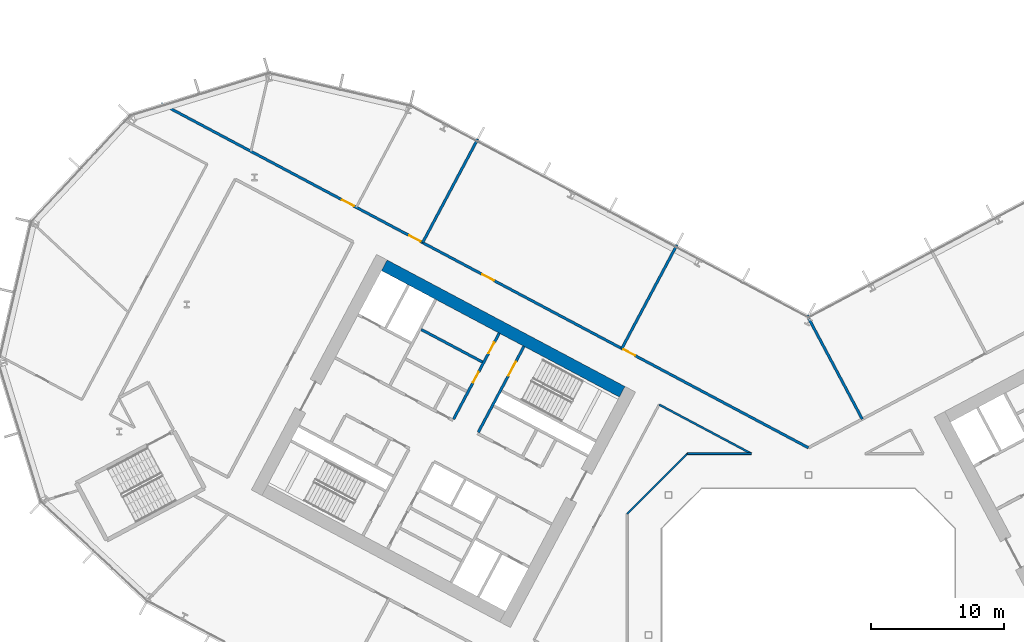
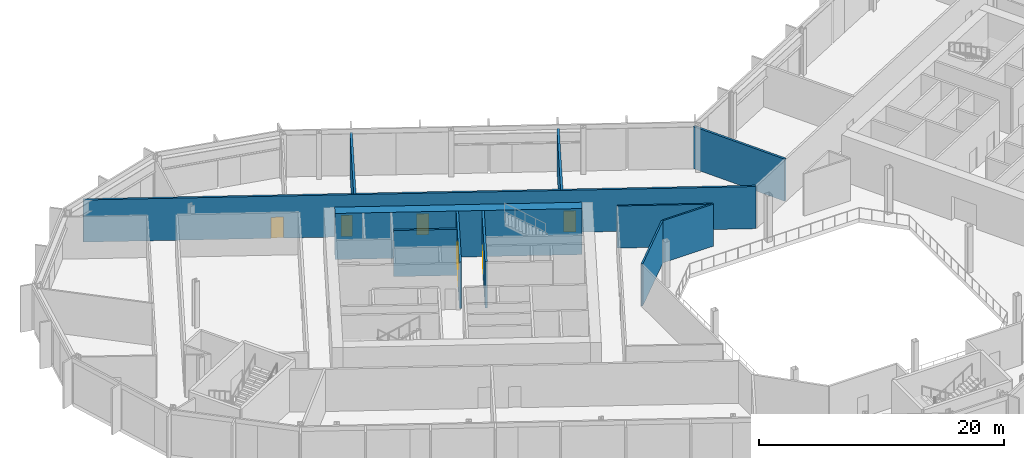
# One storey, part 16 of 32: 11 walls, 7 doors, 7 openings.
"""IFC4 building model written with IfcOpenShell, lengths in metres."""

from ifc_helpers import new_model, si_unit, direction, frame, frame_2d, origin, place, context, subcontext, project, spatial, rectangle, extrude, material, layer, layer_set, type_object, element, fill, save


model = new_model("IFC4")

# Units and contexts
model_context = context("Model", 3, precision=1e-05, world=origin(), true_north=direction((0.0, 1.0)))
body_context = subcontext(model_context, "Body", "Model", "MODEL_VIEW")
ifc_project = project(units=[si_unit("LENGTHUNIT", "METRE"), si_unit("AREAUNIT", "SQUARE_METRE"), si_unit("VOLUMEUNIT", "CUBIC_METRE"), si_unit("PLANEANGLEUNIT", "RADIAN"), si_unit("MASSUNIT", "GRAM", prefix="KILO")], contexts=[model_context])

# Site, building, storey
site_placement = place(None, origin())
site = spatial("IfcSite", under=ifc_project, at=site_placement, CompositionType="ELEMENT")
building_placement = place(site_placement, origin())
building = spatial("IfcBuilding", under=site, at=building_placement, Name="Cormorant Relay Tower", CompositionType="ELEMENT")
storey_placement = place(building_placement, frame((0.0, 0.0, 75.39990234375)))
storey = spatial("IfcBuildingStorey", under=building, at=storey_placement, Name="L14", CompositionType="ELEMENT", Elevation=75.39990234375)

# Wall
ifc_material_1 = material(Name="Concrete 40 MPa", Category="concrete")
ifc_layer_1 = layer(ifc_material_1, 0.199951171875)
ifc_layer_set_1 = layer_set([ifc_layer_1], Name="Core internal wall 200")
wall_type_1 = type_object("IfcWallType", Name="Core internal wall 200", PredefinedType="SOLIDWALL", material=ifc_layer_set_1)
wall_1_placement = place(storey_placement, frame((-24.449462890625, 20.474853515625, 0.0), z_axis=(0.0, 0.0, 1.0), x_axis=(-0.882934506056, 0.469496174655, 0.0)))
element("IfcWall", 1, at=wall_1_placement, inside=storey, type_object=wall_type_1, Name="L14 core A shaft and room wall", PredefinedType="SOLIDWALL", context=body_context, shape_type="SweptSolid", body=[
    extrude(rectangle(XDim=5.199951171875, YDim=0.199951171875, at=frame_2d((2.60009765625, 0.0))), origin(), (0.0, 0.0, 1.0), 4.60009765625),
])

# Wall, opening, door
ifc_material_2 = material(Name="Concrete 50 MPa", Category="concrete")
ifc_layer_2 = layer(ifc_material_2, 0.199951171875)
ifc_layer_set_2 = layer_set([ifc_layer_2], Name="Core shaft wall 200")
wall_type_2 = type_object("IfcWallType", Name="Core shaft wall 200", PredefinedType="SHEAR", material=ifc_layer_set_2)
wall_2_placement = place(storey_placement, frame((-21.333251953125, 21.6494140625, 0.0), z_axis=(0.0, 0.0, 1.0), x_axis=(-0.469494272526, -0.882935517501, 0.0)))
wall_2 = element("IfcWall", 2, at=wall_2_placement, inside=storey, type_object=wall_type_2, Name="L14 core A shaft wall", PredefinedType="SHEAR", context=body_context, shape_type="SweptSolid", body=[
    extrude(rectangle(XDim=7.2998046875, YDim=0.199951171875, at=frame_2d((3.64990234375, 0.0))), origin(), (0.0, 0.0, 1.0), 4.60009765625),
])
opening_1_placement = place(wall_2_placement, frame((1.300048828125, 0.0, 0.0)))
opening_1 = element("IfcOpeningElement", 3, at=opening_1_placement, cuts=wall_2, Name="Opening CDB-024", PredefinedType="OPENING", context=body_context, shape_type="SweptSolid", body=[
    extrude(rectangle(XDim=1.199951171875, YDim=2.10009765625, at=frame_2d((0.60009765625, 1.050048828125))), frame((0.0, 0.10986328125, 0.0), z_axis=(0.0, -1.0, 0.0), x_axis=(1.0, 0.0, 0.0)), (0.0, 0.0, 1.0), 0.219970703125),
])
ifc_material_3 = material(Name="Steel fire door", Category="steel")
door_type_1 = type_object("IfcDoorType", Name="Core stair door 1200x2100", OperationType="SINGLE_SWING_LEFT", PredefinedType="DOOR", material=ifc_material_3)
door_1_placement = place(opening_1_placement, origin())
door_1 = element("IfcDoor", 4, at=door_1_placement, inside=storey, type_object=door_type_1, Name="Core stair door 1200x2100", OperationType="SINGLE_SWING_RIGHT", OverallHeight=2.10009765625, OverallWidth=1.199951171875, PredefinedType="DOOR", context=body_context, shape_type="SweptSolid", body=[
    extrude(rectangle(XDim=1.199951171875, YDim=2.10009765625, at=frame_2d((0.60009765625, 1.050048828125))), frame((0.0, 0.02490234375, 0.0), z_axis=(0.0, -1.0, 0.0), x_axis=(1.0, 0.0, 0.0)), (0.0, 0.0, 1.0), 0.050048828125),
])
fill(opening_1, door_1)

# Wall, openings, doors
wall_3_placement = place(storey_placement, frame((-23.1875, 22.635498046875, 0.0), z_axis=(0.0, 0.0, 1.0), x_axis=(-0.469454336211, -0.882956752176, 0.0)))
wall_3 = element("IfcWall", 5, at=wall_3_placement, inside=storey, type_object=wall_type_2, Name="L14 core A shaft wall", PredefinedType="SHEAR", context=body_context, shape_type="SweptSolid", body=[
    extrude(rectangle(XDim=7.300048828125, YDim=0.199951171875, at=frame_2d((3.64990234375, 0.0))), origin(), (0.0, 0.0, 1.0), 4.60009765625),
])
opening_2_placement = place(wall_3_placement, frame((0.800048828125, 0.0, 0.0)))
opening_2 = element("IfcOpeningElement", 6, at=opening_2_placement, cuts=wall_3, Name="Opening CDD-117", PredefinedType="OPENING", context=body_context, shape_type="SweptSolid", body=[
    extrude(rectangle(XDim=0.89990234375, YDim=2.10009765625, at=frame_2d((0.449951171875, 1.050048828125))), frame((0.0, 0.10986328125, 0.0), z_axis=(0.0, -1.0, 0.0), x_axis=(1.0, 0.0, 0.0)), (0.0, 0.0, 1.0), 0.219970703125),
])
opening_3_placement = place(wall_3_placement, frame((3.300048828125, 0.0, 0.0)))
opening_3 = element("IfcOpeningElement", 7, at=opening_3_placement, cuts=wall_3, Name="Opening CDD-118", PredefinedType="OPENING", context=body_context, shape_type="SweptSolid", body=[
    extrude(rectangle(XDim=0.89990234375, YDim=2.10009765625, at=frame_2d((0.449951171875, 1.050048828125))), frame((0.0, 0.10986328125, 0.0), z_axis=(0.0, -1.0, 0.0), x_axis=(1.0, 0.0, 0.0)), (0.0, 0.0, 1.0), 0.219970703125),
])
ifc_material_4 = material(Name="Steel fire door", Category="steel")
door_type_2 = type_object("IfcDoorType", Name="Core room door 900x2100", OperationType="SINGLE_SWING_LEFT", PredefinedType="DOOR", material=ifc_material_4)
door_2_placement = place(opening_2_placement, origin())
door_2 = element("IfcDoor", 8, at=door_2_placement, inside=storey, type_object=door_type_2, Name="Core room door 900x2100", OperationType="SINGLE_SWING_LEFT", OverallHeight=2.10009765625, OverallWidth=0.89990234375, PredefinedType="DOOR", context=body_context, shape_type="SweptSolid", body=[
    extrude(rectangle(XDim=0.89990234375, YDim=2.10009765625, at=frame_2d((0.449951171875, 1.050048828125))), frame((0.0, 0.02490234375, 0.0), z_axis=(0.0, -1.0, 0.0), x_axis=(1.0, 0.0, 0.0)), (0.0, 0.0, 1.0), 0.050048828125),
])
fill(opening_2, door_2)
door_3_placement = place(opening_3_placement, origin())
door_3 = element("IfcDoor", 9, at=door_3_placement, inside=storey, type_object=door_type_2, Name="Core room door 900x2100", OperationType="SINGLE_SWING_LEFT", OverallHeight=2.10009765625, OverallWidth=0.89990234375, PredefinedType="DOOR", context=body_context, shape_type="SweptSolid", body=[
    extrude(rectangle(XDim=0.89990234375, YDim=2.10009765625, at=frame_2d((0.449951171875, 1.050048828125))), frame((0.0, 0.02490234375, 0.0), z_axis=(0.0, -1.0, 0.0), x_axis=(1.0, 0.0, 0.0)), (0.0, 0.0, 1.0), 0.050048828125),
])
fill(opening_3, door_3)

# Wall
ifc_material_5 = material(Name="Concrete 70 MPa", Category="concrete")
ifc_layer_3 = layer(ifc_material_5, 0.89990234375)
ifc_layer_set_3 = layer_set([ifc_layer_3], Name="Core wall 900")
wall_type_3 = type_object("IfcWallType", Name="Core wall 900", PredefinedType="SHEAR", material=ifc_layer_set_3)
wall_4_placement = place(storey_placement, frame((-13.97021484375, 18.244140625, 0.0), z_axis=(0.0, 0.0, 1.0), x_axis=(-0.88294509198, 0.469476266226, 0.0)))
element("IfcWall", 10, at=wall_4_placement, inside=storey, type_object=wall_type_3, Name="L14 core A wall", PredefinedType="SHEAR", context=body_context, shape_type="SweptSolid", body=[
    extrude(rectangle(XDim=20.199951171875, YDim=0.89990234375, at=frame_2d((10.10009765625, 0.0))), origin(), (0.0, 0.0, 1.0), 4.60009765625),
])

# Wall, openings, doors
ifc_material_6 = material(Name="Fire-rated gypsum board partition")
ifc_layer_4 = layer(ifc_material_6, 0.199951171875)
ifc_layer_set_4 = layer_set([ifc_layer_4], Name="Fire-rated gypsum partition 200")
wall_type_4 = type_object("IfcWallType", Name="Fire-rated gypsum partition 200", PredefinedType="PARTITIONING", material=ifc_layer_set_4)
wall_5_placement = place(storey_placement, frame((-48.541015625, 39.85400390625, 0.0), z_axis=(0.0, 0.0, 1.0), x_axis=(0.882945008423, -0.469476423372, 0.0)))
wall_5 = element("IfcWall", 11, at=wall_5_placement, inside=storey, type_object=wall_type_4, Name="wall/L14/part/8", PredefinedType="PARTITIONING", context=body_context, shape_type="SweptSolid", body=[
    extrude(rectangle(XDim=54.976318359375, YDim=0.199951171875, at=frame_2d((27.48828125, 0.0))), origin(), (0.0, 0.0, 1.0), 4.2001953125),
])
opening_4_placement = place(wall_5_placement, frame((39.264892578125, 0.0, 0.0)))
opening_4 = element("IfcOpeningElement", 12, at=opening_4_placement, cuts=wall_5, Name="Opening FD1-090", PredefinedType="OPENING", context=body_context, shape_type="SweptSolid", body=[
    extrude(rectangle(XDim=1.0, YDim=2.10009765625, at=frame_2d((0.5, 1.050048828125))), frame((0.0, 0.10986328125, 0.0), z_axis=(0.0, -1.0, 0.0), x_axis=(1.0, 0.0, 0.0)), (0.0, 0.0, 1.0), 0.219970703125),
])
opening_5_placement = place(wall_5_placement, frame((27.264892578125, 0.0, 0.0)))
opening_5 = element("IfcOpeningElement", 13, at=opening_5_placement, cuts=wall_5, Name="Opening FD1-091", PredefinedType="OPENING", context=body_context, shape_type="SweptSolid", body=[
    extrude(rectangle(XDim=1.0, YDim=2.10009765625, at=frame_2d((0.5, 1.050048828125))), frame((0.0, 0.10986328125, 0.0), z_axis=(0.0, -1.0, 0.0), x_axis=(1.0, 0.0, 0.0)), (0.0, 0.0, 1.0), 0.219970703125),
])
opening_6_placement = place(wall_5_placement, frame((21.06494140625, 0.0, 0.0)))
opening_6 = element("IfcOpeningElement", 14, at=opening_6_placement, cuts=wall_5, Name="Opening D2-011", PredefinedType="OPENING", context=body_context, shape_type="SweptSolid", body=[
    extrude(rectangle(XDim=0.949951171875, YDim=2.10009765625, at=frame_2d((0.47509765625, 1.050048828125))), frame((0.0, 0.10986328125, 0.0), z_axis=(0.0, -1.0, 0.0), x_axis=(1.0, 0.0, 0.0)), (0.0, 0.0, 1.0), 0.219970703125),
])
opening_7_placement = place(wall_5_placement, frame((15.364990234375, 0.0, 0.0)))
opening_7 = element("IfcOpeningElement", 15, at=opening_7_placement, cuts=wall_5, Name="Opening FD1-075", PredefinedType="OPENING", context=body_context, shape_type="SweptSolid", body=[
    extrude(rectangle(XDim=1.0, YDim=2.10009765625, at=frame_2d((0.5, 1.050048828125))), frame((0.0, 0.10986328125, 0.0), z_axis=(0.0, -1.0, 0.0), x_axis=(1.0, 0.0, 0.0)), (0.0, 0.0, 1.0), 0.219970703125),
])
ifc_material_7 = material(Name="Fire-rated steel door", Category="steel")
door_type_3 = type_object("IfcDoorType", Name="Fire door 1000 x 2100", OperationType="SINGLE_SWING_LEFT", PredefinedType="DOOR", material=ifc_material_7)
door_4_placement = place(opening_4_placement, origin())
door_4 = element("IfcDoor", 16, at=door_4_placement, inside=storey, type_object=door_type_3, Name="door/L14/8", OperationType="SINGLE_SWING_LEFT", OverallHeight=2.10009765625, OverallWidth=1.0, PredefinedType="DOOR", context=body_context, shape_type="SweptSolid", body=[
    extrude(rectangle(XDim=1.0, YDim=2.10009765625, at=frame_2d((0.5, 1.050048828125))), frame((0.0, 0.02490234375, 0.0), z_axis=(0.0, -1.0, 0.0), x_axis=(1.0, 0.0, 0.0)), (0.0, 0.0, 1.0), 0.050048828125),
])
fill(opening_4, door_4)
door_5_placement = place(opening_5_placement, origin())
door_5 = element("IfcDoor", 17, at=door_5_placement, inside=storey, type_object=door_type_3, Name="door/L14/9", OperationType="SINGLE_SWING_RIGHT", OverallHeight=2.10009765625, OverallWidth=1.0, PredefinedType="DOOR", context=body_context, shape_type="SweptSolid", body=[
    extrude(rectangle(XDim=1.0, YDim=2.10009765625, at=frame_2d((0.5, 1.050048828125))), frame((0.0, 0.02490234375, 0.0), z_axis=(0.0, -1.0, 0.0), x_axis=(1.0, 0.0, 0.0)), (0.0, 0.0, 1.0), 0.050048828125),
])
fill(opening_5, door_5)
door_6_placement = place(opening_7_placement, origin())
door_6 = element("IfcDoor", 18, at=door_6_placement, inside=storey, type_object=door_type_3, Name="door/L14/11", OperationType="SINGLE_SWING_RIGHT", OverallHeight=2.10009765625, OverallWidth=1.0, PredefinedType="DOOR", context=body_context, shape_type="SweptSolid", body=[
    extrude(rectangle(XDim=1.0, YDim=2.10009765625, at=frame_2d((0.5, 1.050048828125))), frame((0.0, 0.02490234375, 0.0), z_axis=(0.0, -1.0, 0.0), x_axis=(1.0, 0.0, 0.0)), (0.0, 0.0, 1.0), 0.050048828125),
])
fill(opening_7, door_6)
ifc_material_8 = material(Name="Timber door", Category="wood")
door_type_4 = type_object("IfcDoorType", Name="Toilet door 950 x 2100", OperationType="SINGLE_SWING_LEFT", PredefinedType="DOOR", material=ifc_material_8)
door_7_placement = place(opening_6_placement, origin())
door_7 = element("IfcDoor", 19, at=door_7_placement, inside=storey, type_object=door_type_4, Name="door/L14/10", OperationType="SINGLE_SWING_RIGHT", OverallHeight=2.10009765625, OverallWidth=0.949951171875, PredefinedType="DOOR", context=body_context, shape_type="SweptSolid", body=[
    extrude(rectangle(XDim=0.949951171875, YDim=2.10009765625, at=frame_2d((0.47509765625, 1.050048828125))), frame((0.0, 0.02490234375, 0.0), z_axis=(0.0, -1.0, 0.0), x_axis=(1.0, 0.0, 0.0)), (0.0, 0.0, 1.0), 0.050048828125),
])
fill(opening_6, door_7)

# Walls
wall_6_placement = place(storey_placement, frame((-24.800048828125, 37.197021484375, 0.0), z_axis=(0.0, 0.0, 1.0), x_axis=(-0.469510830369, -0.882926712794, 0.0)))
element("IfcWall", 20, at=wall_6_placement, inside=storey, type_object=wall_type_4, Name="wall/L14/part/21", PredefinedType="PARTITIONING", context=body_context, shape_type="SweptSolid", body=[
    extrude(rectangle(XDim=8.80029296875, YDim=0.199951171875, at=frame_2d((4.400146484375, 0.0))), origin(), (0.0, 0.0, 1.0), 4.2001953125),
])
wall_7_placement = place(storey_placement, frame((-9.864013671875, 29.2548828125, 0.0), z_axis=(0.0, 0.0, 1.0), x_axis=(-0.469457446168, -0.882955098653, 0.0)))
element("IfcWall", 21, at=wall_7_placement, inside=storey, type_object=wall_type_4, Name="wall/L14/part/22", PredefinedType="PARTITIONING", context=body_context, shape_type="SweptSolid", body=[
    extrude(rectangle(XDim=8.7998046875, YDim=0.199951171875, at=frame_2d((4.39990234375, 0.0))), origin(), (0.0, 0.0, 1.0), 4.2001953125),
])
wall_8_placement = place(storey_placement, frame((-0.10498046875, 23.98388671875, 0.0), z_axis=(0.0, 0.0, 1.0), x_axis=(0.469424872141, -0.882972417132, 0.0)))
element("IfcWall", 22, at=wall_8_placement, inside=storey, type_object=wall_type_4, Name="wall/L14/part/24", PredefinedType="PARTITIONING", context=body_context, shape_type="SweptSolid", body=[
    extrude(rectangle(XDim=8.825927734375, YDim=0.199951171875, at=frame_2d((4.4130859375, 0.0))), origin(), (0.0, 0.0, 1.0), 4.2001953125),
])
ifc_material_9 = material(Name="Gypsum board partition")
ifc_layer_5 = layer(ifc_material_9, 0.14990234375)
ifc_layer_set_5 = layer_set([ifc_layer_5], Name="Gypsum board partition 150")
wall_type_5 = type_object("IfcWallType", Name="Gypsum board partition 150", PredefinedType="PARTITIONING", material=ifc_layer_set_5)
wall_9_placement = place(storey_placement, frame((-11.197998046875, 17.280029296875, 0.0), z_axis=(0.0, 0.0, 1.0), x_axis=(0.882946288452, -0.46947401601, 0.0)))
element("IfcWall", 23, at=wall_9_placement, inside=storey, type_object=wall_type_5, Name="wall/L14/part/56", PredefinedType="PARTITIONING", context=body_context, shape_type="SweptSolid", body=[
    extrude(rectangle(XDim=7.83837890625, YDim=0.14990234375, at=frame_2d((3.919189453125, 0.0))), origin(), (0.0, 0.0, 1.0), 4.2001953125),
])
wall_10_placement = place(storey_placement, frame((-4.277099609375, 13.60009765625, 0.0), z_axis=(0.0, 0.0, 1.0), x_axis=(-1.0, 0.0, 0.0)))
element("IfcWall", 24, at=wall_10_placement, inside=storey, type_object=wall_type_5, Name="wall/L14/part/57", PredefinedType="PARTITIONING", context=body_context, shape_type="SweptSolid", body=[
    extrude(rectangle(XDim=4.7998046875, YDim=0.14990234375, at=frame_2d((2.39990234375, 0.0))), origin(), (0.0, 0.0, 1.0), 4.2001953125),
])
wall_11_placement = place(storey_placement, frame((-9.076904296875, 13.60009765625, 0.0), z_axis=(0.0, 0.0, 1.0), x_axis=(-0.707106781187, -0.707106781187, 0.0)))
element("IfcWall", 25, at=wall_11_placement, inside=storey, type_object=wall_type_5, Name="wall/L14/part/58", PredefinedType="PARTITIONING", context=body_context, shape_type="SweptSolid", body=[
    extrude(rectangle(XDim=6.396728515625, YDim=0.14990234375, at=frame_2d((3.1982421875, 0.0))), origin(), (0.0, 0.0, 1.0), 4.2001953125),
])

save(model, "model.ifc")
